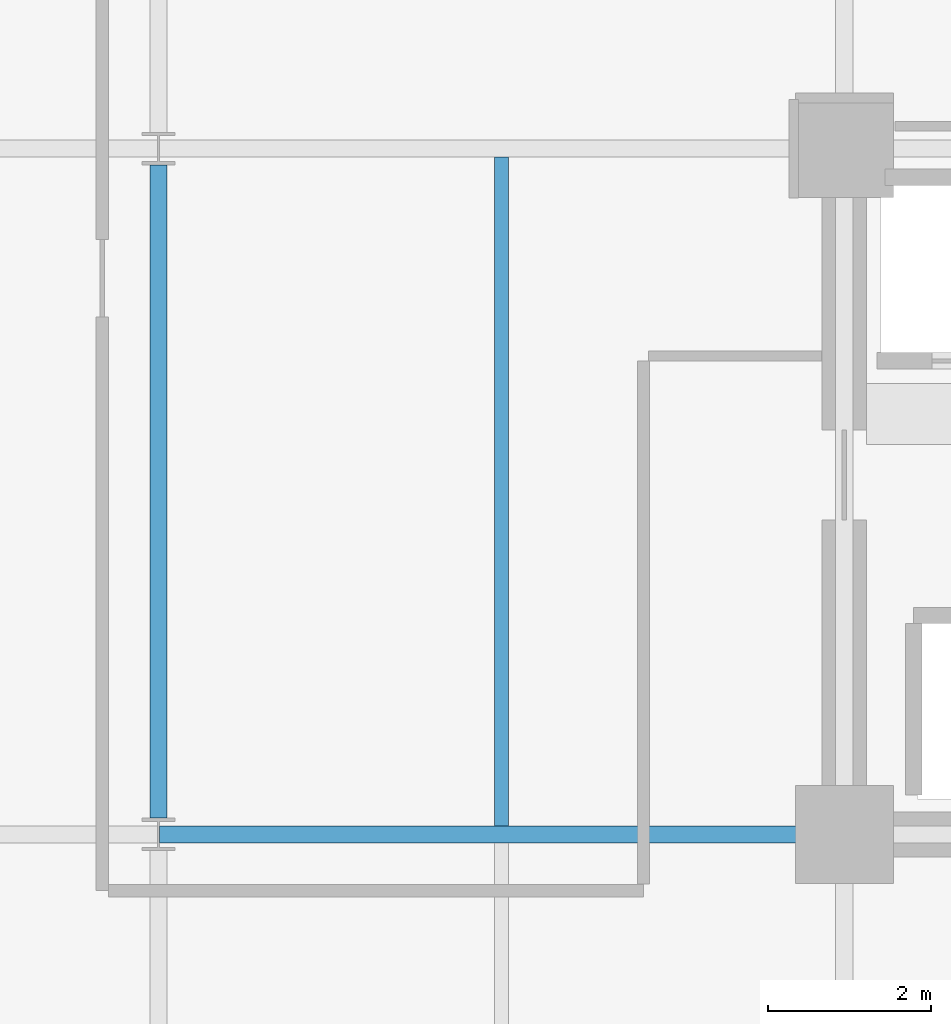
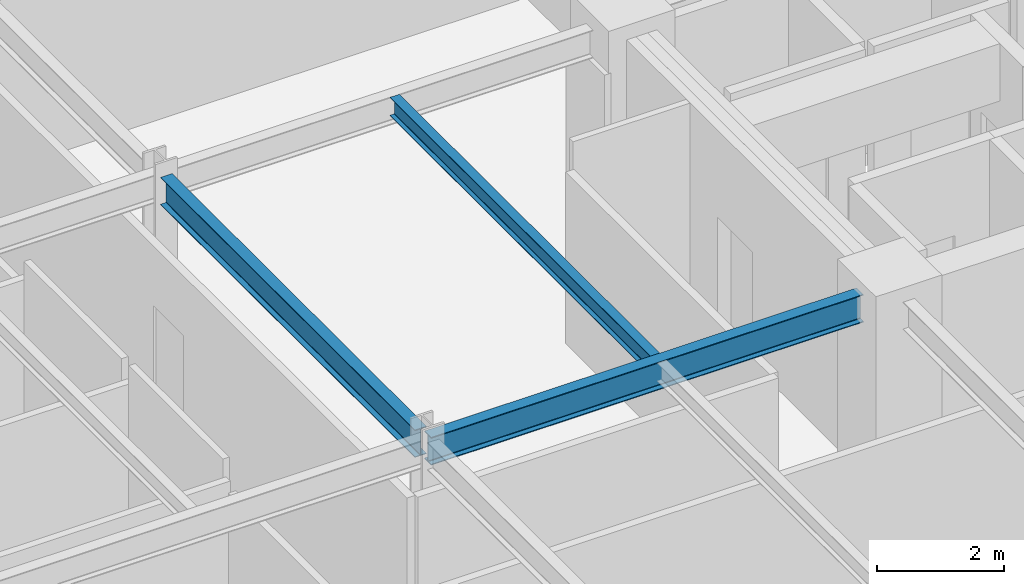
# One storey, part 5 of 30: 3 beams.
"""IFC4 building model written with IfcOpenShell, lengths in metres."""

from ifc_helpers import new_model, si_unit, direction, frame, origin, origin_2d, place, context, subcontext, project, spatial, i_section, extrude, material, material_profile, profile_set, type_object, element, save


model = new_model("IFC4")

# Units and contexts
model_context = context("Model", 3, precision=1e-05, world=origin(), true_north=direction((0.0, 1.0)))
body_context = subcontext(model_context, "Body", "Model", "MODEL_VIEW")
ifc_project = project(units=[si_unit("LENGTHUNIT", "METRE"), si_unit("AREAUNIT", "SQUARE_METRE"), si_unit("VOLUMEUNIT", "CUBIC_METRE"), si_unit("PLANEANGLEUNIT", "RADIAN"), si_unit("MASSUNIT", "GRAM", prefix="KILO")], contexts=[model_context])

# Site, building, storey
site_placement = place(None, origin())
site = spatial("IfcSite", under=ifc_project, at=site_placement, CompositionType="ELEMENT")
building_placement = place(site_placement, origin())
building = spatial("IfcBuilding", under=site, at=building_placement, Name="Nerrivon Quay Data Exchange", CompositionType="ELEMENT")
storey_placement = place(building_placement, frame((0.0, 0.0, 141.800048828125)))
storey = spatial("IfcBuildingStorey", under=building, at=storey_placement, Name="L33", CompositionType="ELEMENT", Elevation=141.800048828125)

# Beams
ifc_material = material(Name="Steel Grade 350", Category="steel")
ifc_material_profile_1 = material_profile(ifc_material, i_section(OverallWidth=0.208984375, OverallDepth=0.532958984375, WebThickness=0.01025390625, FlangeThickness=0.015625, FilletRadius=0.013916015625, at=origin_2d()), Name="530UB92.4")
ifc_profile_set_1 = profile_set([ifc_material_profile_1], Name="Steel Grade 350")
beam_type_1 = type_object("IfcBeamType", Name="BM-G3-530UB92", PredefinedType="BEAM", material=ifc_profile_set_1)
beam_1_placement = place(storey_placement, frame((8.41259765625, 8.39990234375, 3.558349609375), z_axis=(1.0, 0.0, 0.0), x_axis=(0.0, 1.0, 0.0)))
element("IfcBeam", 1, at=beam_1_placement, inside=storey, type_object=beam_type_1, Name="L33 EW Girder Y=8.4 (8.4..16.8)", PredefinedType="BEAM", context=body_context, shape_type="SweptSolid", body=[
    extrude(i_section(OverallWidth=0.208984375, OverallDepth=0.532958984375, WebThickness=0.01025390625, FlangeThickness=0.015625, FilletRadius=0.013916015625, at=origin_2d()), origin(), (0.0, 0.0, 1.0), 7.847412109375),
])
ifc_material_profile_2 = material_profile(ifc_material, i_section(OverallWidth=0.208984375, OverallDepth=0.528076171875, WebThickness=0.009521484375, FlangeThickness=0.01318359375, FilletRadius=0.013916015625, at=origin_2d()), Name="530UB82.0")
ifc_profile_set_2 = profile_set([ifc_material_profile_2], Name="Steel Grade 350")
beam_type_2 = type_object("IfcBeamType", Name="BM-G4-530UB82", PredefinedType="BEAM", material=ifc_profile_set_2)
beam_2_placement = place(storey_placement, frame((8.39990234375, 8.60009765625, 3.56103515625), z_axis=(0.0, 1.0, 0.0), x_axis=(-1.0, 0.0, 0.0)))
element("IfcBeam", 2, at=beam_2_placement, inside=storey, type_object=beam_type_2, Name="L33 NS Girder X=8.4 (8.4..16.8)", PredefinedType="BEAM", context=body_context, shape_type="SweptSolid", body=[
    extrude(i_section(OverallWidth=0.208984375, OverallDepth=0.528076171875, WebThickness=0.009521484375, FlangeThickness=0.01318359375, FilletRadius=0.013916015625, at=origin_2d()), origin(), (0.0, 0.0, 1.0), 8.0),
])
ifc_material_profile_3 = material_profile(ifc_material, i_section(OverallWidth=0.1708984375, OverallDepth=0.35595703125, WebThickness=0.00732421875, FlangeThickness=0.011474609375, FilletRadius=0.011474609375, at=origin_2d()), Name="360UB50.7")
ifc_profile_set_3 = profile_set([ifc_material_profile_3], Name="Steel Grade 350")
beam_type_3 = type_object("IfcBeamType", Name="BM-J4-360UB51", PredefinedType="JOIST", material=ifc_profile_set_3)
beam_3_placement = place(storey_placement, frame((12.60009765625, 8.50439453125, 3.64697265625), z_axis=(0.0, 1.0, 0.0), x_axis=(-1.0, 0.0, 0.0)))
element("IfcBeam", 3, at=beam_3_placement, inside=storey, type_object=beam_type_3, Name="L33 Secondary Joist X=12.6 (8.4..16.8)", PredefinedType="JOIST", context=body_context, shape_type="SweptSolid", body=[
    extrude(i_section(OverallWidth=0.1708984375, OverallDepth=0.35595703125, WebThickness=0.00732421875, FlangeThickness=0.011474609375, FilletRadius=0.011474609375, at=origin_2d()), origin(), (0.0, 0.0, 1.0), 8.191162109375),
])

save(model, "model.ifc")
